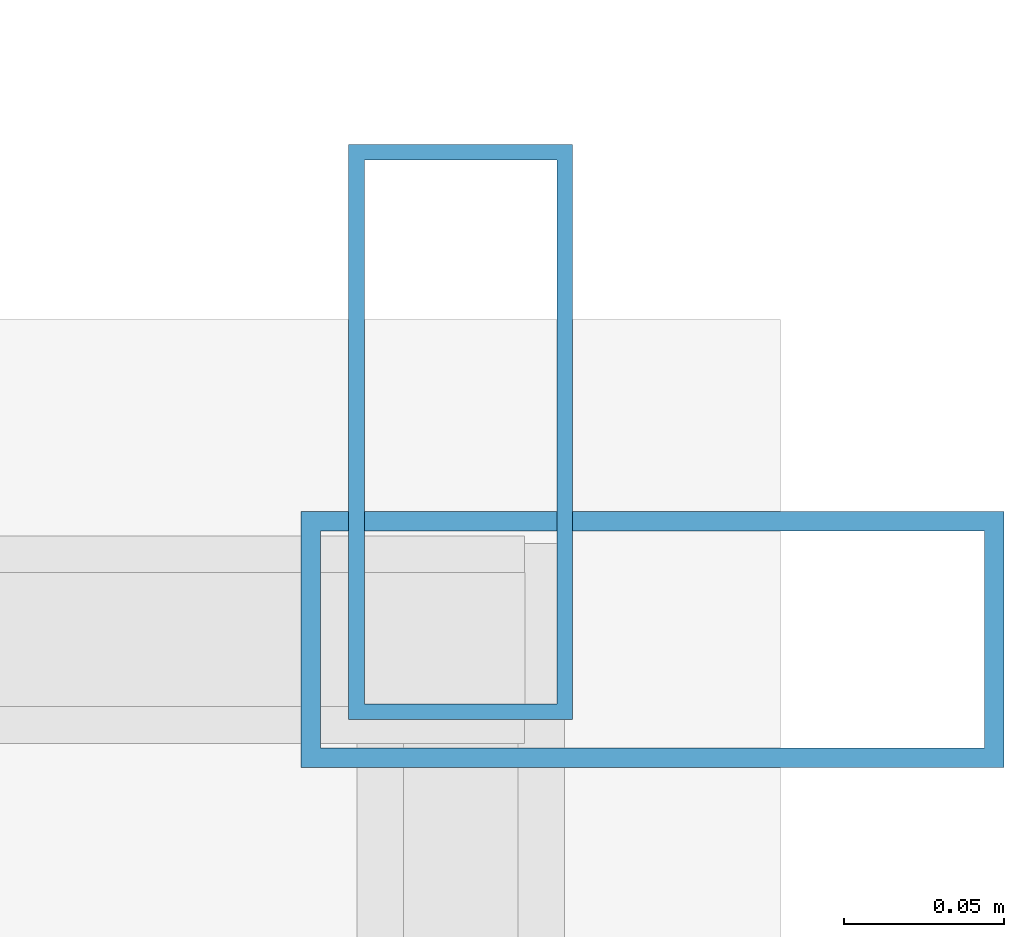
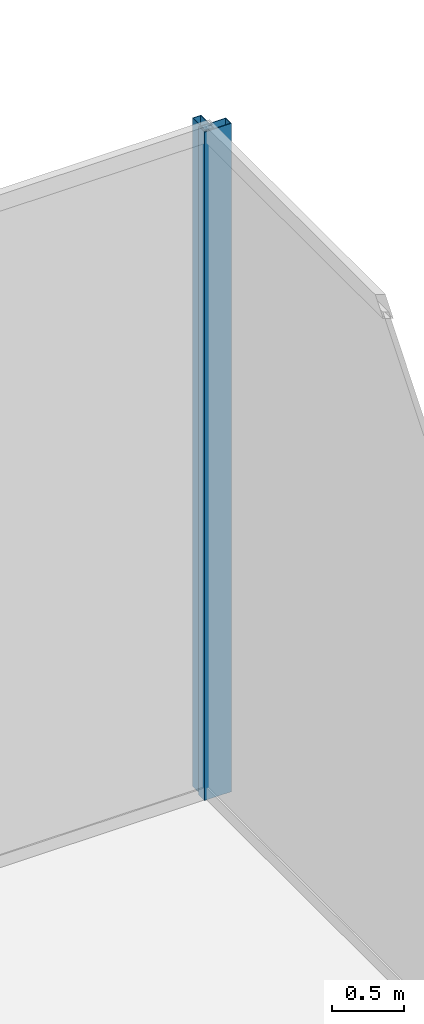
# One storey, part 23 of 30: 2 members, 2 elements without a shape of their own.
"""IFC4 building model written with IfcOpenShell, lengths in metres."""

from ifc_helpers import new_model, si_unit, direction, frame, origin, origin_2d, place, context, subcontext, project, spatial, hollow_rectangle, extrude, source, transform, mapped, material, layer, layer_set, material_profile, profile_set, type_object, type_shapes, element, aggregate, save


model = new_model("IFC4")

# Units and contexts
model_context = context("Model", 3, precision=1e-05, world=origin(), true_north=direction((0.0, 1.0)))
body_context = subcontext(model_context, "Body", "Model", "MODEL_VIEW")
ifc_project = project(units=[si_unit("LENGTHUNIT", "METRE"), si_unit("AREAUNIT", "SQUARE_METRE"), si_unit("VOLUMEUNIT", "CUBIC_METRE"), si_unit("PLANEANGLEUNIT", "RADIAN"), si_unit("MASSUNIT", "GRAM", prefix="KILO")], contexts=[model_context])

# Site, building, storey
site_placement = place(None, origin())
site = spatial("IfcSite", under=ifc_project, at=site_placement, CompositionType="ELEMENT")
building_placement = place(site_placement, origin())
building = spatial("IfcBuilding", under=site, at=building_placement, Name="Haelvirn Gate Laboratories", CompositionType="ELEMENT")
storey_placement = place(building_placement, frame((0.0, 0.0, 291.60009765625)))
storey = spatial("IfcBuildingStorey", under=building, at=storey_placement, Name="L70", CompositionType="ELEMENT", Elevation=291.60009765625)

# Curtain wall, member
ifc_material_1 = material(Name="Anodised bronze unitised aluminium & triple low-E glass", Category="aluminium")
ifc_layer_1 = layer(ifc_material_1, 0.176025390625, Name="CW-SYS-4")
ifc_layer_set_1 = layer_set([ifc_layer_1], Name="Anodised bronze unitised aluminium & triple low-E glass")
curtain_wall_type_1 = type_object("IfcCurtainWallType", Name="CW-SYS-4", PredefinedType="NOTDEFINED", material=ifc_layer_set_1)
curtain_wall_1_placement = place(storey_placement, origin())
curtain_wall_1 = element("IfcCurtainWall", 1, at=curtain_wall_1_placement, inside=storey, type_object=curtain_wall_type_1, Name="L70 Unitised Curtain Wall CW-L70-P1-E03", PredefinedType="NOTDEFINED")
ifc_material_2 = material(Name="Extruded aluminium 6063-T6 (anodised bronze)", Category="aluminium")
ifc_material_profile_1 = material_profile(ifc_material_2, hollow_rectangle(XDim=0.070068359375, YDim=0.179931640625, WallThickness=0.0048828125, at=origin_2d()), Name="CWM-180x70x5")
ifc_profile_set_1 = profile_set([ifc_material_profile_1], Name="Extruded aluminium 6063-T6 (anodised bronze)")
member_type_1 = type_object("IfcMemberType", Name="CWM-T180", PredefinedType="MULLION", material=ifc_profile_set_1)
shared_shape_1 = source(origin(), body_context, "Body", "SweptSolid", [
    extrude(hollow_rectangle(XDim=0.070068359375, YDim=0.179931640625, WallThickness=0.0048828125, at=origin_2d()), origin(), (0.0, 0.0, 1.0), 5.699951171875),
])
type_shapes(member_type_1, [shared_shape_1])
member_1_placement = place(storey_placement, frame((70.699951171875, 42.764892578125, 0.0), z_axis=(0.0, 0.0, 1.0), x_axis=(-1.0, 0.0, 0.0)))
member_1 = element("IfcMember", 2, at=member_1_placement, type_object=member_type_1, Name="CW4 mullion 3", PredefinedType="MULLION", context=body_context, shape_type="MappedRepresentation", body=[
    mapped(shared_shape_1, transform((0.0, 0.0, 0.0), scale=1.0)),
])
aggregate(curtain_wall_1, [member_1])

ifc_layer_2 = layer(ifc_material_1, 0.181884765625, Name="CW-SYS-5")
ifc_layer_set_2 = layer_set([ifc_layer_2], Name="Anodised bronze unitised aluminium & triple low-E glass")
curtain_wall_type_2 = type_object("IfcCurtainWallType", Name="CW-SYS-5", PredefinedType="NOTDEFINED", material=ifc_layer_set_2)
curtain_wall_2_placement = place(storey_placement, origin())
curtain_wall_2 = element("IfcCurtainWall", 3, at=curtain_wall_2_placement, inside=storey, type_object=curtain_wall_type_2, Name="L70 Unitised Curtain Wall CW-L70-P1-E04-1", PredefinedType="NOTDEFINED")
ifc_material_profile_2 = material_profile(ifc_material_2, hollow_rectangle(XDim=0.080078125, YDim=0.219970703125, WallThickness=0.006103515625, at=origin_2d()), Name="CWM-220x80x6")
ifc_profile_set_2 = profile_set([ifc_material_profile_2], Name="Extruded aluminium 6063-T6 (anodised bronze)")
member_type_2 = type_object("IfcMemberType", Name="CWM-T220", PredefinedType="MULLION", material=ifc_profile_set_2)
shared_shape_2 = source(origin(), body_context, "Body", "SweptSolid", [
    extrude(hollow_rectangle(XDim=0.080078125, YDim=0.219970703125, WallThickness=0.006103515625, at=origin_2d()), origin(), (0.0, 0.0, 1.0), 5.699951171875),
])
type_shapes(member_type_2, [shared_shape_2])
member_2_placement = place(storey_placement, frame((70.760009765625, 42.699951171875, 0.0), z_axis=(0.0, 0.0, 1.0), x_axis=(0.0, 1.0, 0.0)))
member_2 = element("IfcMember", 4, at=member_2_placement, type_object=member_type_2, Name="CW5 mullion 2", PredefinedType="MULLION", context=body_context, shape_type="MappedRepresentation", body=[
    mapped(shared_shape_2, transform((0.0, 0.0, 0.0), scale=1.0)),
])
aggregate(curtain_wall_2, [member_2])

save(model, "model.ifc")
